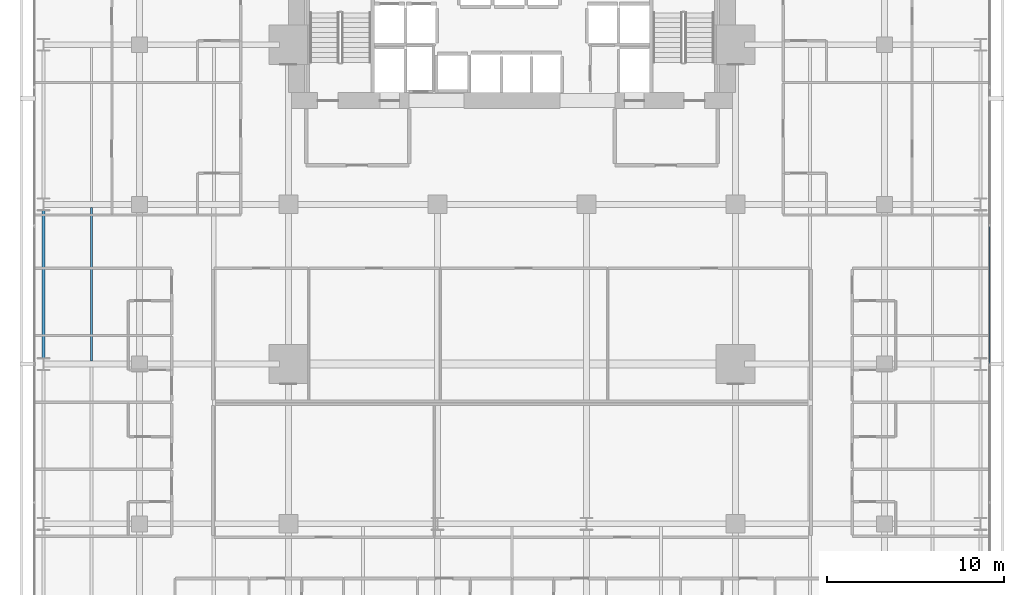
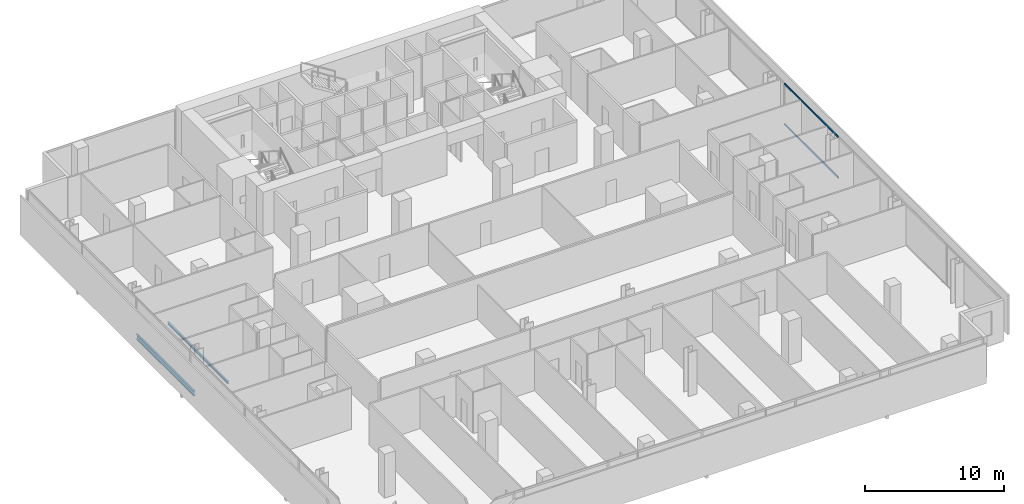
# One storey, part 20 of 40: 2 beams, 2 members, 1 element without a shape of its own.
"""IFC4 building model written with IfcOpenShell, lengths in metres."""

from ifc_helpers import new_model, si_unit, direction, frame, origin, origin_2d, place, context, subcontext, project, spatial, hollow_rectangle, i_section, extrude, material, layer, layer_set, material_profile, profile_set, type_object, element, aggregate, save


model = new_model("IFC4")

# Units and contexts
model_context = context("Model", 3, precision=1e-05, world=origin(), true_north=direction((0.0, 1.0)))
body_context = subcontext(model_context, "Body", "Model", "MODEL_VIEW")
ifc_project = project(units=[si_unit("LENGTHUNIT", "METRE"), si_unit("AREAUNIT", "SQUARE_METRE"), si_unit("VOLUMEUNIT", "CUBIC_METRE"), si_unit("PLANEANGLEUNIT", "RADIAN"), si_unit("MASSUNIT", "GRAM", prefix="KILO")], contexts=[model_context])

# Site, building, storey
site_placement = place(None, origin())
site = spatial("IfcSite", under=ifc_project, at=site_placement, CompositionType="ELEMENT")
building_placement = place(site_placement, origin())
building = spatial("IfcBuilding", under=site, at=building_placement, Name="Maruvema Waterfront Hotel and Observation Tower", CompositionType="ELEMENT")
storey_placement = place(building_placement, frame((0.0, 0.0, 103.949951171875)))
storey = spatial("IfcBuildingStorey", under=building, at=storey_placement, Name="L25", CompositionType="ELEMENT", Elevation=103.949951171875)

# Curtain wall, members
ifc_material_1 = material(Name="Anodised bronze aluminium and solar-control low-E IGU", Category="aluminium")
ifc_layer = layer(ifc_material_1, 0.159912109375, Name="Zone 1 Bronze Inner Thermal Curtain Wall System CW-02")
ifc_layer_set = layer_set([ifc_layer], Name="Anodised bronze aluminium and solar-control low-E IGU")
curtain_wall_type = type_object("IfcCurtainWallType", Name="Zone 1 Bronze Inner Thermal Curtain Wall System CW-02", PredefinedType="USERDEFINED", material=ifc_layer_set)
curtain_wall_placement = place(storey_placement, origin())
curtain_wall = element("IfcCurtainWall", 1, at=curtain_wall_placement, inside=storey, type_object=curtain_wall_type, Name="L25 Curtain Wall CW-L25-E", ObjectType="UNITISED CURTAIN WALL", PredefinedType="USERDEFINED")
ifc_material_2 = material(Name="Anodised architectural bronze aluminium", Category="aluminium")
ifc_material_profile_1 = material_profile(ifc_material_2, hollow_rectangle(XDim=0.070068359375, YDim=0.14990234375, WallThickness=0.00390625, at=origin_2d()), Name="ALU-T70x150")
ifc_profile_set_1 = profile_set([ifc_material_profile_1], Name="Anodised architectural bronze aluminium")
member_type = type_object("IfcMemberType", Name="Curtain Wall Horizontal Transom ALU-T70x150", PredefinedType="USERDEFINED", material=ifc_profile_set_1)
member_1_placement = place(storey_placement, frame((64.719970703125, 27.030029296875, 0.030029296875), z_axis=(0.0, 1.0, 0.0), x_axis=(-1.0, 0.0, 0.0)))
member_1 = element("IfcMember", 2, at=member_1_placement, type_object=member_type, Name="CW-02 transom 4.1", ObjectType="TRANSOM", PredefinedType="USERDEFINED", context=body_context, shape_type="SweptSolid", body=[
    extrude(hollow_rectangle(XDim=0.070068359375, YDim=0.14990234375, WallThickness=0.00390625, at=origin_2d()), origin(), (0.0, 0.0, 1.0), 7.739990234375),
])
member_2_placement = place(storey_placement, frame((64.719970703125, 27.030029296875, 3.580078125), z_axis=(0.0, 1.0, 0.0), x_axis=(-1.0, 0.0, 0.0)))
member_2 = element("IfcMember", 3, at=member_2_placement, type_object=member_type, Name="CW-02 transom 4.2", ObjectType="TRANSOM", PredefinedType="USERDEFINED", context=body_context, shape_type="SweptSolid", body=[
    extrude(hollow_rectangle(XDim=0.070068359375, YDim=0.14990234375, WallThickness=0.00390625, at=origin_2d()), origin(), (0.0, 0.0, 1.0), 7.739990234375),
])
aggregate(curtain_wall, [member_1, member_2])

# Beams
ifc_material_3 = material(Name="Steel ASTM A572 Grade 50", Category="steel")
ifc_material_profile_2 = material_profile(ifc_material_3, i_section(OverallWidth=0.153076171875, OverallDepth=0.455078125, WebThickness=0.008056640625, FlangeThickness=0.01318359375, FilletRadius=0.014892578125, at=origin_2d()), Name="W460x60.0")
ifc_profile_set_2 = profile_set([ifc_material_profile_2], Name="Steel ASTM A572 Grade 50")
beam_type_1 = type_object("IfcBeamType", Name="Perimeter Spandrel Beam W460x60.0", PredefinedType="SPANDREL", material=ifc_profile_set_2)
beam_1_placement = place(storey_placement, frame((11.39990234375, 27.35009765625, -0.467529296875), z_axis=(0.0, 1.0, 0.0), x_axis=(-1.0, 0.0, 0.0)))
element("IfcBeam", 4, at=beam_1_placement, inside=storey, type_object=beam_type_1, Name="L25 Floor Girder NS-03", PredefinedType="SPANDREL", context=body_context, shape_type="SweptSolid", body=[
    extrude(i_section(OverallWidth=0.153076171875, OverallDepth=0.455078125, WebThickness=0.008056640625, FlangeThickness=0.01318359375, FilletRadius=0.014892578125, at=origin_2d()), origin(), (0.0, 0.0, 1.0), 8.2998046875),
])
ifc_material_4 = material(Name="Steel ASTM A572 Grade 50", Category="steel")
ifc_material_profile_3 = material_profile(ifc_material_4, i_section(OverallWidth=0.133056640625, OverallDepth=0.20703125, WebThickness=0.005859375, FlangeThickness=0.00830078125, FilletRadius=0.010009765625, at=origin_2d()), Name="W200x26.6")
ifc_profile_set_3 = profile_set([ifc_material_profile_3], Name="Steel ASTM A572 Grade 50")
beam_type_2 = type_object("IfcBeamType", Name="Secondary Floor Joist W200x26.6", PredefinedType="JOIST", material=ifc_profile_set_3)
beam_2_placement = place(storey_placement, frame((14.10009765625, 27.162109375, -0.343505859375), z_axis=(0.0, 1.0, 0.0), x_axis=(-1.0, 0.0, 0.0)))
element("IfcBeam", 5, at=beam_2_placement, inside=storey, type_object=beam_type_2, Name="L25 Secondary Floor Joist JS-03", PredefinedType="JOIST", context=body_context, shape_type="SweptSolid", body=[
    extrude(i_section(OverallWidth=0.133056640625, OverallDepth=0.20703125, WebThickness=0.005859375, FlangeThickness=0.00830078125, FilletRadius=0.010009765625, at=origin_2d()), origin(), (0.0, 0.0, 1.0), 8.67578125),
])

save(model, "model.ifc")
